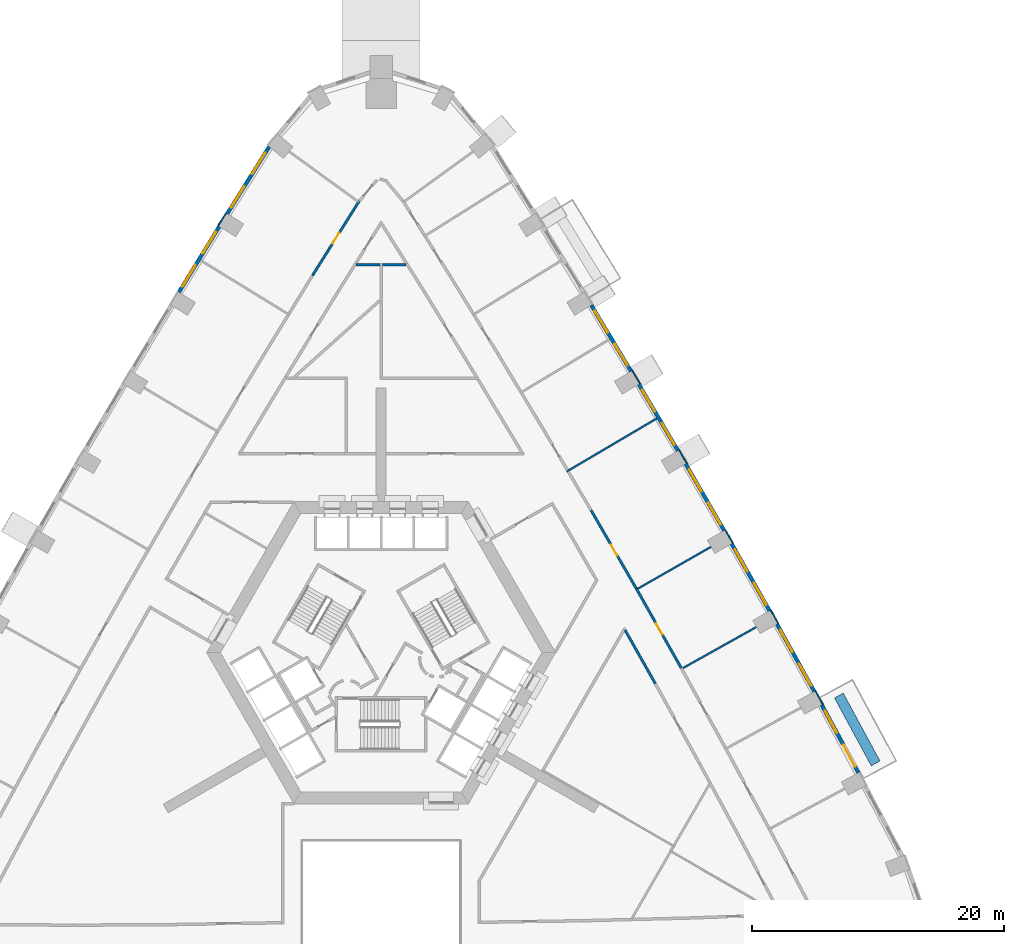
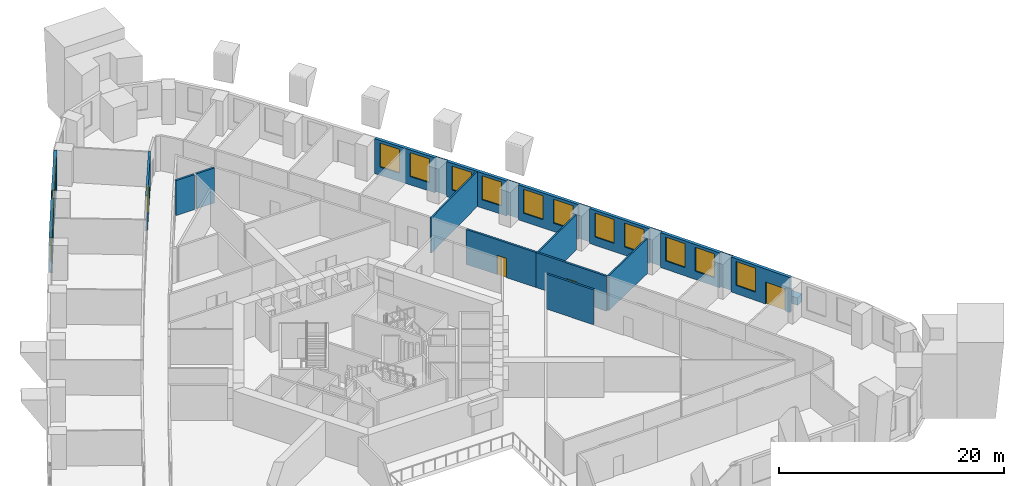
# One storey, part 11 of 17: 24 walls, 15 windows, 4 doors, 19 openings.
"""IFC4 building model written with IfcOpenShell, lengths in metres."""

from ifc_helpers import new_model, si_unit, direction, frame, frame_2d, origin, place, context, subcontext, project, spatial, rectangle, extrude, material, layer, layer_set, type_object, element, fill, save


model = new_model("IFC4")

# Units and contexts
model_context = context("Model", 3, precision=1e-05, world=origin(), true_north=direction((0.0, 1.0)))
body_context = subcontext(model_context, "Body", "Model", "MODEL_VIEW")
ifc_project = project(units=[si_unit("LENGTHUNIT", "METRE"), si_unit("AREAUNIT", "SQUARE_METRE"), si_unit("VOLUMEUNIT", "CUBIC_METRE"), si_unit("PLANEANGLEUNIT", "RADIAN"), si_unit("MASSUNIT", "GRAM", prefix="KILO")], contexts=[model_context])

# Site, building, storey
site_placement = place(None, origin())
site = spatial("IfcSite", under=ifc_project, at=site_placement, CompositionType="ELEMENT")
building_placement = place(site_placement, origin())
building = spatial("IfcBuilding", under=site, at=building_placement, Name="Entoto Arch Interchange Tower", CompositionType="ELEMENT")
storey_placement = place(building_placement, frame((0.0, 0.0, 72.800048828125)))
storey = spatial("IfcBuildingStorey", under=building, at=storey_placement, Name="L15", CompositionType="ELEMENT", Elevation=72.800048828125)

# Walls
ifc_material_1 = material(Name="Gypsum board partition on steel studs", Category="steel")
ifc_layer_1 = layer(ifc_material_1, 0.14990234375)
ifc_layer_set_1 = layer_set([ifc_layer_1], Name="Gypsum board partition on steel studs")
wall_type_1 = type_object("IfcWallType", Name="PARTITION 150", PredefinedType="PARTITIONING", material=ifc_layer_set_1)
wall_1_placement = place(storey_placement, frame((23.950927734375, 1.26611328125, 0.0), z_axis=(0.0, 0.0, 1.0), x_axis=(0.872786908026, 0.488101437385, 0.0)))
element("IfcWall", 1, at=wall_1_placement, inside=storey, type_object=wall_type_1, Name="wall:L15:p135", PredefinedType="PARTITIONING", context=body_context, shape_type="SweptSolid", body=[
    extrude(rectangle(XDim=6.680908203125, YDim=0.14990234375, at=frame_2d((3.34033203125, 0.0))), origin(), (0.0, 0.0, 1.0), 3.800048828125),
])
wall_2_placement = place(storey_placement, frame((20.382080078125, 7.580078125, 0.0), z_axis=(0.0, 0.0, 1.0), x_axis=(0.868256636797, 0.496115321935, 0.0)))
element("IfcWall", 2, at=wall_2_placement, inside=storey, type_object=wall_type_1, Name="wall:L15:p136", PredefinedType="PARTITIONING", context=body_context, shape_type="SweptSolid", body=[
    extrude(rectangle(XDim=6.679931640625, YDim=0.14990234375, at=frame_2d((3.33984375, 0.0))), origin(), (0.0, 0.0, 1.0), 3.800048828125),
])
wall_3_placement = place(storey_placement, frame((14.740966796875, 16.885009765625, 0.0), z_axis=(0.0, 0.0, 1.0), x_axis=(0.861505144806, 0.507748840936, 0.0)))
element("IfcWall", 3, at=wall_3_placement, inside=storey, type_object=wall_type_1, Name="wall:L15:p137", PredefinedType="PARTITIONING", context=body_context, shape_type="SweptSolid", body=[
    extrude(rectangle(XDim=8.299560546875, YDim=0.14990234375, at=frame_2d((4.14990234375, 0.0))), origin(), (0.0, 0.0, 1.0), 3.800048828125),
])
ifc_layer_2 = layer(ifc_material_1, 0.199951171875)
ifc_layer_set_2 = layer_set([ifc_layer_2], Name="Gypsum board partition on steel studs")
wall_type_2 = type_object("IfcWallType", Name="PARTITION 200", PredefinedType="PARTITIONING", material=ifc_layer_set_2)
wall_4_placement = place(storey_placement, frame((21.77001953125, 0.0458984375, 0.0), z_axis=(0.0, 0.0, 1.0), x_axis=(-0.492148137455, 0.870511465059, 0.0)))
element("IfcWall", 4, at=wall_4_placement, inside=storey, type_object=wall_type_2, Name="wall:L15:p024", PredefinedType="PARTITIONING", context=body_context, shape_type="SweptSolid", body=[
    extrude(rectangle(XDim=4.868408203125, YDim=0.199951171875, at=frame_2d((2.43408203125, 0.0))), origin(), (0.0, 0.0, 1.0), 3.800048828125),
])

# Wall, opening, door
wall_5_placement = place(storey_placement, frame((20.259033203125, 7.595947265625, 0.0), z_axis=(0.0, 0.0, 1.0), x_axis=(0.492021755503, -0.870582903641, 0.0)))
wall_5 = element("IfcWall", 5, at=wall_5_placement, inside=storey, type_object=wall_type_2, Name="wall:L15:p047", PredefinedType="PARTITIONING", context=body_context, shape_type="SweptSolid", body=[
    extrude(rectangle(XDim=7.25146484375, YDim=0.199951171875, at=frame_2d((3.625732421875, 0.0))), origin(), (0.0, 0.0, 1.0), 3.800048828125),
])
opening_1_placement = place(wall_5_placement, frame((3.200927734375, 0.0, 0.0)))
opening_1 = element("IfcOpeningElement", 6, at=opening_1_placement, cuts=wall_5, Name="Opening L15-D05", PredefinedType="OPENING", context=body_context, shape_type="SweptSolid", body=[
    extrude(rectangle(XDim=1.0, YDim=2.10009765625, at=frame_2d((0.5, 1.050048828125))), frame((0.0, 0.10986328125, 0.0), z_axis=(0.0, -1.0, 0.0), x_axis=(1.0, 0.0, 0.0)), (0.0, 0.0, 1.0), 0.219970703125),
])
ifc_material_2 = material(Name="Timber door leaf in Steel S235 frame", Category="steel")
door_type_1 = type_object("IfcDoorType", Name="DOOR DS-10 1000x2100", OperationType="SINGLE_SWING_LEFT", PredefinedType="DOOR", material=ifc_material_2)
door_1_placement = place(opening_1_placement, origin())
door_1 = element("IfcDoor", 7, at=door_1_placement, inside=storey, type_object=door_type_1, Name="door:L15:05", OperationType="SINGLE_SWING_LEFT", OverallHeight=2.10009765625, OverallWidth=1.0, PredefinedType="DOOR", context=body_context, shape_type="SweptSolid", body=[
    extrude(rectangle(XDim=1.0, YDim=2.10009765625, at=frame_2d((0.5, 1.050048828125))), frame((0.0, 0.02490234375, 0.0), z_axis=(0.0, -1.0, 0.0), x_axis=(1.0, 0.0, 0.0)), (0.0, 0.0, 1.0), 0.050048828125),
])
fill(opening_1, door_1)

wall_6_placement = place(storey_placement, frame((16.6689453125, 13.81103515625, 0.0), z_axis=(0.0, 0.0, 1.0), x_axis=(0.500027672765, -0.866009426316, 0.0)))
wall_6 = element("IfcWall", 8, at=wall_6_placement, inside=storey, type_object=wall_type_2, Name="wall:L15:p049", PredefinedType="PARTITIONING", context=body_context, shape_type="SweptSolid", body=[
    extrude(rectangle(XDim=7.177734375, YDim=0.199951171875, at=frame_2d((3.5888671875, 0.0))), origin(), (0.0, 0.0, 1.0), 3.800048828125),
])
opening_2_placement = place(wall_6_placement, frame((3.1640625, 0.0, 0.0)))
opening_2 = element("IfcOpeningElement", 9, at=opening_2_placement, cuts=wall_6, Name="Opening L15-D06", PredefinedType="OPENING", context=body_context, shape_type="SweptSolid", body=[
    extrude(rectangle(XDim=1.0, YDim=2.10009765625, at=frame_2d((0.5, 1.050048828125))), frame((0.0, 0.10986328125, 0.0), z_axis=(0.0, -1.0, 0.0), x_axis=(1.0, 0.0, 0.0)), (0.0, 0.0, 1.0), 0.219970703125),
])
door_2_placement = place(opening_2_placement, origin())
door_2 = element("IfcDoor", 10, at=door_2_placement, inside=storey, type_object=door_type_1, Name="door:L15:06", OperationType="SINGLE_SWING_LEFT", OverallHeight=2.10009765625, OverallWidth=1.0, PredefinedType="DOOR", context=body_context, shape_type="SweptSolid", body=[
    extrude(rectangle(XDim=1.0, YDim=2.10009765625, at=frame_2d((0.5, 1.050048828125))), frame((0.0, 0.02490234375, 0.0), z_axis=(0.0, -1.0, 0.0), x_axis=(1.0, 0.0, 0.0)), (0.0, 0.0, 1.0), 0.050048828125),
])
fill(opening_2, door_2)

wall_7_placement = place(storey_placement, frame((-5.449951171875, 32.450927734375, 0.0), z_axis=(0.0, 0.0, 1.0), x_axis=(0.531388870359, 0.847128011849, 0.0)))
wall_7 = element("IfcWall", 11, at=wall_7_placement, inside=storey, type_object=wall_type_2, Name="wall:L15:p061", PredefinedType="PARTITIONING", context=body_context, shape_type="SweptSolid", body=[
    extrude(rectangle(XDim=6.99072265625, YDim=0.199951171875, at=frame_2d((3.495361328125, 0.0))), origin(), (0.0, 0.0, 1.0), 3.800048828125),
])
opening_3_placement = place(wall_7_placement, frame((2.99609375, 0.0, 0.0)))
opening_3 = element("IfcOpeningElement", 12, at=opening_3_placement, cuts=wall_7, Name="Opening L15-D12", PredefinedType="OPENING", context=body_context, shape_type="SweptSolid", body=[
    extrude(rectangle(XDim=1.0, YDim=2.10009765625, at=frame_2d((0.5, 1.050048828125))), frame((0.0, 0.10986328125, 0.0), z_axis=(0.0, -1.0, 0.0), x_axis=(1.0, 0.0, 0.0)), (0.0, 0.0, 1.0), 0.219970703125),
])
door_3_placement = place(opening_3_placement, origin())
door_3 = element("IfcDoor", 13, at=door_3_placement, inside=storey, type_object=door_type_1, Name="door:L15:12", OperationType="SINGLE_SWING_LEFT", OverallHeight=2.10009765625, OverallWidth=1.0, PredefinedType="DOOR", context=body_context, shape_type="SweptSolid", body=[
    extrude(rectangle(XDim=1.0, YDim=2.10009765625, at=frame_2d((0.5, 1.050048828125))), frame((0.0, 0.02490234375, 0.0), z_axis=(0.0, -1.0, 0.0), x_axis=(1.0, 0.0, 0.0)), (0.0, 0.0, 1.0), 0.050048828125),
])
fill(opening_3, door_3)

# Walls
for number, where, z_axis, x_axis, name in (
    (14, (0.10009765625, 33.300048828125, 0.0), (0.0, 0.0, 1.0), (1.0, 0.0, 0.0), "wall:L15:p125"),
    (15, (-1.985107421875, 33.300048828125, 0.0), (0.0, 0.0, 1.0), (1.0, 0.0, 0.0), "wall:L15:p126"),
):
    element("IfcWall", number, at=place(storey_placement, frame(where, z_axis=z_axis, x_axis=x_axis)), inside=storey, type_object=wall_type_2, Name=name, PredefinedType="PARTITIONING", context=body_context, shape_type="SweptSolid", body=[
        extrude(rectangle(XDim=1.885009765625, YDim=0.199951171875, at=frame_2d((0.9423828125, 0.0))), origin(), (0.0, 0.0, 1.0), 3.800048828125),
    ])
ifc_material_3 = material(Name="Board-marked precast concrete C50/60", Category="concrete")
ifc_layer_3 = layer(ifc_material_3, 0.800048828125)
ifc_layer_set_3 = layer_set([ifc_layer_3], Name="Board-marked precast concrete C50/60")
wall_type_3 = type_object("IfcWallType", Name="PLANTER RC 800 Olea europaea subsp. cuspidata", PredefinedType="STANDARD", material=ifc_layer_set_3)
wall_8_placement = place(storey_placement, frame((39.26611328125, -6.298095703125, 0.0), z_axis=(0.0, 0.0, 1.0), x_axis=(-0.476100931161, 0.8793906432, 0.0)))
element("IfcWall", 16, at=wall_8_placement, inside=storey, type_object=wall_type_3, Name="Planter NE-02 L15", PredefinedType="STANDARD", context=body_context, shape_type="SweptSolid", body=[
    extrude(rectangle(XDim=6.12939453125, YDim=0.800048828125, at=frame_2d((3.064697265625, 0.0))), origin(), (0.0, 0.0, 1.0), 0.800048828125),
])

# Wall, openings, door, window
ifc_material_4 = material(Name="Welded tuff (ignimbrite) cladding, warm buff", Category="masonry")
ifc_layer_4 = layer(ifc_material_4, 0.300048828125)
ifc_layer_set_4 = layer_set([ifc_layer_4], Name="Welded tuff (ignimbrite) cladding, warm buff")
wall_type_4 = type_object("IfcWallType", Name="STONE INFILL WALL 300", PredefinedType="STANDARD", material=ifc_layer_set_4)
wall_9_placement = place(storey_placement, frame((37.903076171875, -7.035888671875, 0.0), z_axis=(0.0, 0.0, 1.0), x_axis=(-0.476174096946, 0.879351027404, 0.0)))
wall_9 = element("IfcWall", 17, at=wall_9_placement, inside=storey, type_object=wall_type_4, Name="Facade wall NE-02 L15", PredefinedType="STANDARD", context=body_context, shape_type="SweptSolid", body=[
    extrude(rectangle(XDim=6.130615234375, YDim=0.300048828125, at=frame_2d((3.0654296875, 0.0))), origin(), (0.0, 0.0, 1.0), 3.800048828125),
])
opening_4_placement = place(wall_9_placement, frame((0.532958984375, 0.0, 0.0)))
opening_4 = element("IfcOpeningElement", 18, at=opening_4_placement, cuts=wall_9, Name="Opening DB-NE-02-L15", PredefinedType="OPENING", context=body_context, shape_type="SweptSolid", body=[
    extrude(rectangle(XDim=2.0, YDim=2.39990234375, at=frame_2d((1.0, 1.199951171875))), frame((0.0, 0.16015625, 0.0), z_axis=(0.0, -1.0, 0.0), x_axis=(1.0, 0.0, 0.0)), (0.0, 0.0, 1.0), 0.320068359375),
])
opening_5_placement = place(wall_9_placement, frame((3.597900390625, 0.0, 0.89990234375)))
opening_5 = element("IfcOpeningElement", 19, at=opening_5_placement, cuts=wall_9, Name="Opening WO-C", PredefinedType="OPENING", context=body_context, shape_type="SweptSolid", body=[
    extrude(rectangle(XDim=2.0, YDim=2.60009765625, at=frame_2d((1.0, 1.300048828125))), frame((0.0, 0.16015625, 0.0), z_axis=(0.0, -1.0, 0.0), x_axis=(1.0, 0.0, 0.0)), (0.0, 0.0, 1.0), 0.320068359375),
])
ifc_material_5 = material(Name="Aluminium and clear glass, anodised", Category="aluminium")
door_type_2 = type_object("IfcDoorType", Name="BALCONY DOOR DB 2000x2400", OperationType="SLIDING_TO_LEFT", PredefinedType="DOOR", material=ifc_material_5)
door_4_placement = place(opening_4_placement, origin())
door_4 = element("IfcDoor", 20, at=door_4_placement, inside=storey, type_object=door_type_2, Name="Balcony door NE-02 L15", OperationType="SLIDING_TO_LEFT", OverallHeight=2.39990234375, OverallWidth=2.0, PredefinedType="DOOR", context=body_context, shape_type="SweptSolid", body=[
    extrude(rectangle(XDim=2.0, YDim=2.39990234375, at=frame_2d((1.0, 1.199951171875))), frame((0.0, 0.02490234375, 0.0), z_axis=(0.0, -1.0, 0.0), x_axis=(1.0, 0.0, 0.0)), (0.0, 0.0, 1.0), 0.050048828125),
])
fill(opening_4, door_4)
ifc_material_6 = material(Name="Clear glass, low-e double glazed", Category="glass")
window_type = type_object("IfcWindowType", Name="WINDOW WO-C 2000x2600", PartitioningType="DOUBLE_PANEL_VERTICAL", PredefinedType="WINDOW", material=ifc_material_6)
window_1_placement = place(opening_5_placement, origin())
window_1 = element("IfcWindow", 21, at=window_1_placement, inside=storey, type_object=window_type, Name="Window WO-C NE-02 L15", OverallHeight=2.60009765625, OverallWidth=2.0, PartitioningType="SINGLE_PANEL", PredefinedType="WINDOW", context=body_context, shape_type="SweptSolid", body=[
    extrude(rectangle(XDim=2.0, YDim=2.60009765625, at=frame_2d((1.0, 1.300048828125))), frame((0.0, 0.030029296875, 0.0), z_axis=(0.0, -1.0, 0.0), x_axis=(1.0, 0.0, 0.0)), (0.0, 0.0, 1.0), 0.06005859375),
])
fill(opening_5, window_1)

# Wall, openings, windows
wall_10_placement = place(storey_placement, frame((34.408935546875, -0.594970703125, 0.0), z_axis=(0.0, 0.0, 1.0), x_axis=(-0.484025698618, 0.875053782963, 0.0)))
wall_10 = element("IfcWall", 22, at=wall_10_placement, inside=storey, type_object=wall_type_4, Name="Facade wall NE-03 L15", PredefinedType="STANDARD", context=body_context, shape_type="SweptSolid", body=[
    extrude(rectangle(XDim=6.1298828125, YDim=0.300048828125, at=frame_2d((3.06494140625, 0.0))), origin(), (0.0, 0.0, 1.0), 3.800048828125),
])
opening_6_placement = place(wall_10_placement, frame((0.531982421875, 0.0, 0.89990234375)))
opening_6 = element("IfcOpeningElement", 23, at=opening_6_placement, cuts=wall_10, Name="Opening WO-C", PredefinedType="OPENING", context=body_context, shape_type="SweptSolid", body=[
    extrude(rectangle(XDim=2.0, YDim=2.60009765625, at=frame_2d((1.0, 1.300048828125))), frame((0.0, 0.16015625, 0.0), z_axis=(0.0, -1.0, 0.0), x_axis=(1.0, 0.0, 0.0)), (0.0, 0.0, 1.0), 0.320068359375),
])
opening_7_placement = place(wall_10_placement, frame((3.596923828125, 0.0, 0.89990234375)))
opening_7 = element("IfcOpeningElement", 24, at=opening_7_placement, cuts=wall_10, Name="Opening WO-C", PredefinedType="OPENING", context=body_context, shape_type="SweptSolid", body=[
    extrude(rectangle(XDim=2.0, YDim=2.60009765625, at=frame_2d((1.0, 1.300048828125))), frame((0.0, 0.16015625, 0.0), z_axis=(0.0, -1.0, 0.0), x_axis=(1.0, 0.0, 0.0)), (0.0, 0.0, 1.0), 0.320068359375),
])
window_2_placement = place(opening_6_placement, origin())
window_2 = element("IfcWindow", 25, at=window_2_placement, inside=storey, type_object=window_type, Name="Window WO-C NE-03 L15", OverallHeight=2.60009765625, OverallWidth=2.0, PartitioningType="SINGLE_PANEL", PredefinedType="WINDOW", context=body_context, shape_type="SweptSolid", body=[
    extrude(rectangle(XDim=2.0, YDim=2.60009765625, at=frame_2d((1.0, 1.300048828125))), frame((0.0, 0.030029296875, 0.0), z_axis=(0.0, -1.0, 0.0), x_axis=(1.0, 0.0, 0.0)), (0.0, 0.0, 1.0), 0.06005859375),
])
fill(opening_6, window_2)
window_3_placement = place(opening_7_placement, origin())
window_3 = element("IfcWindow", 26, at=window_3_placement, inside=storey, type_object=window_type, Name="Window WO-C NE-03 L15", OverallHeight=2.60009765625, OverallWidth=2.0, PartitioningType="SINGLE_PANEL", PredefinedType="WINDOW", context=body_context, shape_type="SweptSolid", body=[
    extrude(rectangle(XDim=2.0, YDim=2.60009765625, at=frame_2d((1.0, 1.300048828125))), frame((0.0, 0.030029296875, 0.0), z_axis=(0.0, -1.0, 0.0), x_axis=(1.0, 0.0, 0.0)), (0.0, 0.0, 1.0), 0.06005859375),
])
fill(opening_7, window_3)

wall_11_placement = place(storey_placement, frame((30.85693359375, 5.81396484375, 0.0), z_axis=(0.0, 0.0, 1.0), x_axis=(-0.492097935349, 0.870539845168, 0.0)))
wall_11 = element("IfcWall", 27, at=wall_11_placement, inside=storey, type_object=wall_type_4, Name="Facade wall NE-04 L15", PredefinedType="STANDARD", context=body_context, shape_type="SweptSolid", body=[
    extrude(rectangle(XDim=6.130615234375, YDim=0.300048828125, at=frame_2d((3.0654296875, 0.0))), origin(), (0.0, 0.0, 1.0), 3.800048828125),
])
opening_8_placement = place(wall_11_placement, frame((0.532958984375, 0.0, 0.89990234375)))
opening_8 = element("IfcOpeningElement", 28, at=opening_8_placement, cuts=wall_11, Name="Opening WO-C", PredefinedType="OPENING", context=body_context, shape_type="SweptSolid", body=[
    extrude(rectangle(XDim=2.0, YDim=2.60009765625, at=frame_2d((1.0, 1.300048828125))), frame((0.0, 0.16015625, 0.0), z_axis=(0.0, -1.0, 0.0), x_axis=(1.0, 0.0, 0.0)), (0.0, 0.0, 1.0), 0.320068359375),
])
opening_9_placement = place(wall_11_placement, frame((3.597900390625, 0.0, 0.89990234375)))
opening_9 = element("IfcOpeningElement", 29, at=opening_9_placement, cuts=wall_11, Name="Opening WO-C", PredefinedType="OPENING", context=body_context, shape_type="SweptSolid", body=[
    extrude(rectangle(XDim=2.0, YDim=2.60009765625, at=frame_2d((1.0, 1.300048828125))), frame((0.0, 0.16015625, 0.0), z_axis=(0.0, -1.0, 0.0), x_axis=(1.0, 0.0, 0.0)), (0.0, 0.0, 1.0), 0.320068359375),
])
window_4_placement = place(opening_8_placement, origin())
window_4 = element("IfcWindow", 30, at=window_4_placement, inside=storey, type_object=window_type, Name="Window WO-C NE-04 L15", OverallHeight=2.60009765625, OverallWidth=2.0, PartitioningType="SINGLE_PANEL", PredefinedType="WINDOW", context=body_context, shape_type="SweptSolid", body=[
    extrude(rectangle(XDim=2.0, YDim=2.60009765625, at=frame_2d((1.0, 1.300048828125))), frame((0.0, 0.030029296875, 0.0), z_axis=(0.0, -1.0, 0.0), x_axis=(1.0, 0.0, 0.0)), (0.0, 0.0, 1.0), 0.06005859375),
])
fill(opening_8, window_4)
window_5_placement = place(opening_9_placement, origin())
window_5 = element("IfcWindow", 31, at=window_5_placement, inside=storey, type_object=window_type, Name="Window WO-C NE-04 L15", OverallHeight=2.60009765625, OverallWidth=2.0, PartitioningType="SINGLE_PANEL", PredefinedType="WINDOW", context=body_context, shape_type="SweptSolid", body=[
    extrude(rectangle(XDim=2.0, YDim=2.60009765625, at=frame_2d((1.0, 1.300048828125))), frame((0.0, 0.030029296875, 0.0), z_axis=(0.0, -1.0, 0.0), x_axis=(1.0, 0.0, 0.0)), (0.0, 0.0, 1.0), 0.06005859375),
])
fill(opening_9, window_5)

wall_12_placement = place(storey_placement, frame((27.24609375, 12.19091796875, 0.0), z_axis=(0.0, 0.0, 1.0), x_axis=(-0.499998239139, 0.866026420416, 0.0)))
wall_12 = element("IfcWall", 32, at=wall_12_placement, inside=storey, type_object=wall_type_4, Name="Facade wall NE-05 L15", PredefinedType="STANDARD", context=body_context, shape_type="SweptSolid", body=[
    extrude(rectangle(XDim=6.13037109375, YDim=0.300048828125, at=frame_2d((3.065185546875, 0.0))), origin(), (0.0, 0.0, 1.0), 3.800048828125),
])
opening_10_placement = place(wall_12_placement, frame((0.532958984375, 0.0, 0.89990234375)))
opening_10 = element("IfcOpeningElement", 33, at=opening_10_placement, cuts=wall_12, Name="Opening WO-C", PredefinedType="OPENING", context=body_context, shape_type="SweptSolid", body=[
    extrude(rectangle(XDim=2.0, YDim=2.60009765625, at=frame_2d((1.0, 1.300048828125))), frame((0.0, 0.16015625, 0.0), z_axis=(0.0, -1.0, 0.0), x_axis=(1.0, 0.0, 0.0)), (0.0, 0.0, 1.0), 0.320068359375),
])
opening_11_placement = place(wall_12_placement, frame((3.597900390625, 0.0, 0.89990234375)))
opening_11 = element("IfcOpeningElement", 34, at=opening_11_placement, cuts=wall_12, Name="Opening WO-C", PredefinedType="OPENING", context=body_context, shape_type="SweptSolid", body=[
    extrude(rectangle(XDim=2.0, YDim=2.60009765625, at=frame_2d((1.0, 1.300048828125))), frame((0.0, 0.16015625, 0.0), z_axis=(0.0, -1.0, 0.0), x_axis=(1.0, 0.0, 0.0)), (0.0, 0.0, 1.0), 0.320068359375),
])
window_6_placement = place(opening_10_placement, origin())
window_6 = element("IfcWindow", 35, at=window_6_placement, inside=storey, type_object=window_type, Name="Window WO-C NE-05 L15", OverallHeight=2.60009765625, OverallWidth=2.0, PartitioningType="SINGLE_PANEL", PredefinedType="WINDOW", context=body_context, shape_type="SweptSolid", body=[
    extrude(rectangle(XDim=2.0, YDim=2.60009765625, at=frame_2d((1.0, 1.300048828125))), frame((0.0, 0.030029296875, 0.0), z_axis=(0.0, -1.0, 0.0), x_axis=(1.0, 0.0, 0.0)), (0.0, 0.0, 1.0), 0.06005859375),
])
fill(opening_10, window_6)
window_7_placement = place(opening_11_placement, origin())
window_7 = element("IfcWindow", 36, at=window_7_placement, inside=storey, type_object=window_type, Name="Window WO-C NE-05 L15", OverallHeight=2.60009765625, OverallWidth=2.0, PartitioningType="SINGLE_PANEL", PredefinedType="WINDOW", context=body_context, shape_type="SweptSolid", body=[
    extrude(rectangle(XDim=2.0, YDim=2.60009765625, at=frame_2d((1.0, 1.300048828125))), frame((0.0, 0.030029296875, 0.0), z_axis=(0.0, -1.0, 0.0), x_axis=(1.0, 0.0, 0.0)), (0.0, 0.0, 1.0), 0.06005859375),
])
fill(opening_11, window_7)

wall_13_placement = place(storey_placement, frame((23.576904296875, 18.533935546875, 0.0), z_axis=(0.0, 0.0, 1.0), x_axis=(-0.507716058644, 0.861524465001, 0.0)))
wall_13 = element("IfcWall", 37, at=wall_13_placement, inside=storey, type_object=wall_type_4, Name="Facade wall NE-06 L15", PredefinedType="STANDARD", context=body_context, shape_type="SweptSolid", body=[
    extrude(rectangle(XDim=6.130859375, YDim=0.300048828125, at=frame_2d((3.0654296875, 0.0))), origin(), (0.0, 0.0, 1.0), 3.800048828125),
])
opening_12_placement = place(wall_13_placement, frame((0.532958984375, 0.0, 0.89990234375)))
opening_12 = element("IfcOpeningElement", 38, at=opening_12_placement, cuts=wall_13, Name="Opening WO-C", PredefinedType="OPENING", context=body_context, shape_type="SweptSolid", body=[
    extrude(rectangle(XDim=2.0, YDim=2.60009765625, at=frame_2d((1.0, 1.300048828125))), frame((0.0, 0.16015625, 0.0), z_axis=(0.0, -1.0, 0.0), x_axis=(1.0, 0.0, 0.0)), (0.0, 0.0, 1.0), 0.320068359375),
])
opening_13_placement = place(wall_13_placement, frame((3.597900390625, 0.0, 0.89990234375)))
opening_13 = element("IfcOpeningElement", 39, at=opening_13_placement, cuts=wall_13, Name="Opening WO-C", PredefinedType="OPENING", context=body_context, shape_type="SweptSolid", body=[
    extrude(rectangle(XDim=2.0, YDim=2.60009765625, at=frame_2d((1.0, 1.300048828125))), frame((0.0, 0.16015625, 0.0), z_axis=(0.0, -1.0, 0.0), x_axis=(1.0, 0.0, 0.0)), (0.0, 0.0, 1.0), 0.320068359375),
])
window_8_placement = place(opening_12_placement, origin())
window_8 = element("IfcWindow", 40, at=window_8_placement, inside=storey, type_object=window_type, Name="Window WO-C NE-06 L15", OverallHeight=2.60009765625, OverallWidth=2.0, PartitioningType="SINGLE_PANEL", PredefinedType="WINDOW", context=body_context, shape_type="SweptSolid", body=[
    extrude(rectangle(XDim=2.0, YDim=2.60009765625, at=frame_2d((1.0, 1.300048828125))), frame((0.0, 0.030029296875, 0.0), z_axis=(0.0, -1.0, 0.0), x_axis=(1.0, 0.0, 0.0)), (0.0, 0.0, 1.0), 0.06005859375),
])
fill(opening_12, window_8)
window_9_placement = place(opening_13_placement, origin())
window_9 = element("IfcWindow", 41, at=window_9_placement, inside=storey, type_object=window_type, Name="Window WO-C NE-06 L15", OverallHeight=2.60009765625, OverallWidth=2.0, PartitioningType="SINGLE_PANEL", PredefinedType="WINDOW", context=body_context, shape_type="SweptSolid", body=[
    extrude(rectangle(XDim=2.0, YDim=2.60009765625, at=frame_2d((1.0, 1.300048828125))), frame((0.0, 0.030029296875, 0.0), z_axis=(0.0, -1.0, 0.0), x_axis=(1.0, 0.0, 0.0)), (0.0, 0.0, 1.0), 0.06005859375),
])
fill(opening_13, window_9)

wall_14_placement = place(storey_placement, frame((19.85107421875, 24.844970703125, 0.0), z_axis=(0.0, 0.0, 1.0), x_axis=(-0.515690089348, 0.856775193238, 0.0)))
wall_14 = element("IfcWall", 42, at=wall_14_placement, inside=storey, type_object=wall_type_4, Name="Facade wall NE-07 L15", PredefinedType="STANDARD", context=body_context, shape_type="SweptSolid", body=[
    extrude(rectangle(XDim=6.1298828125, YDim=0.300048828125, at=frame_2d((3.06494140625, 0.0))), origin(), (0.0, 0.0, 1.0), 3.800048828125),
])
opening_14_placement = place(wall_14_placement, frame((0.531982421875, 0.0, 0.89990234375)))
opening_14 = element("IfcOpeningElement", 43, at=opening_14_placement, cuts=wall_14, Name="Opening WO-C", PredefinedType="OPENING", context=body_context, shape_type="SweptSolid", body=[
    extrude(rectangle(XDim=2.0, YDim=2.60009765625, at=frame_2d((1.0, 1.300048828125))), frame((0.0, 0.16015625, 0.0), z_axis=(0.0, -1.0, 0.0), x_axis=(1.0, 0.0, 0.0)), (0.0, 0.0, 1.0), 0.320068359375),
])
opening_15_placement = place(wall_14_placement, frame((3.596923828125, 0.0, 0.89990234375)))
opening_15 = element("IfcOpeningElement", 44, at=opening_15_placement, cuts=wall_14, Name="Opening WO-C", PredefinedType="OPENING", context=body_context, shape_type="SweptSolid", body=[
    extrude(rectangle(XDim=2.0, YDim=2.60009765625, at=frame_2d((1.0, 1.300048828125))), frame((0.0, 0.16015625, 0.0), z_axis=(0.0, -1.0, 0.0), x_axis=(1.0, 0.0, 0.0)), (0.0, 0.0, 1.0), 0.320068359375),
])
window_10_placement = place(opening_14_placement, origin())
window_10 = element("IfcWindow", 45, at=window_10_placement, inside=storey, type_object=window_type, Name="Window WO-C NE-07 L15", OverallHeight=2.60009765625, OverallWidth=2.0, PartitioningType="SINGLE_PANEL", PredefinedType="WINDOW", context=body_context, shape_type="SweptSolid", body=[
    extrude(rectangle(XDim=2.0, YDim=2.60009765625, at=frame_2d((1.0, 1.300048828125))), frame((0.0, 0.030029296875, 0.0), z_axis=(0.0, -1.0, 0.0), x_axis=(1.0, 0.0, 0.0)), (0.0, 0.0, 1.0), 0.06005859375),
])
fill(opening_14, window_10)
window_11_placement = place(opening_15_placement, origin())
window_11 = element("IfcWindow", 46, at=window_11_placement, inside=storey, type_object=window_type, Name="Window WO-C NE-07 L15", OverallHeight=2.60009765625, OverallWidth=2.0, PartitioningType="SINGLE_PANEL", PredefinedType="WINDOW", context=body_context, shape_type="SweptSolid", body=[
    extrude(rectangle(XDim=2.0, YDim=2.60009765625, at=frame_2d((1.0, 1.300048828125))), frame((0.0, 0.030029296875, 0.0), z_axis=(0.0, -1.0, 0.0), x_axis=(1.0, 0.0, 0.0)), (0.0, 0.0, 1.0), 0.06005859375),
])
fill(opening_15, window_11)

wall_15_placement = place(storey_placement, frame((-8.888916015625, 42.68408203125, 0.0), z_axis=(0.0, 0.0, 1.0), x_axis=(-0.531357111884, -0.847147932565, 0.0)))
wall_15 = element("IfcWall", 47, at=wall_15_placement, inside=storey, type_object=wall_type_4, Name="Facade wall NW-01 L15", PredefinedType="STANDARD", context=body_context, shape_type="SweptSolid", body=[
    extrude(rectangle(XDim=6.2822265625, YDim=0.300048828125, at=frame_2d((3.14111328125, 0.0))), origin(), (0.0, 0.0, 1.0), 3.800048828125),
])
opening_16_placement = place(wall_15_placement, frame((0.571044921875, 0.0, 0.89990234375)))
opening_16 = element("IfcOpeningElement", 48, at=opening_16_placement, cuts=wall_15, Name="Opening WO-C", PredefinedType="OPENING", context=body_context, shape_type="SweptSolid", body=[
    extrude(rectangle(XDim=2.0, YDim=2.60009765625, at=frame_2d((1.0, 1.300048828125))), frame((0.0, 0.16015625, 0.0), z_axis=(0.0, -1.0, 0.0), x_axis=(1.0, 0.0, 0.0)), (0.0, 0.0, 1.0), 0.320068359375),
])
opening_17_placement = place(wall_15_placement, frame((3.7119140625, 0.0, 0.89990234375)))
opening_17 = element("IfcOpeningElement", 49, at=opening_17_placement, cuts=wall_15, Name="Opening WO-C", PredefinedType="OPENING", context=body_context, shape_type="SweptSolid", body=[
    extrude(rectangle(XDim=2.0, YDim=2.60009765625, at=frame_2d((1.0, 1.300048828125))), frame((0.0, 0.16015625, 0.0), z_axis=(0.0, -1.0, 0.0), x_axis=(1.0, 0.0, 0.0)), (0.0, 0.0, 1.0), 0.320068359375),
])
window_12_placement = place(opening_16_placement, origin())
window_12 = element("IfcWindow", 50, at=window_12_placement, inside=storey, type_object=window_type, Name="Window WO-C NW-01 L15", OverallHeight=2.60009765625, OverallWidth=2.0, PartitioningType="SINGLE_PANEL", PredefinedType="WINDOW", context=body_context, shape_type="SweptSolid", body=[
    extrude(rectangle(XDim=2.0, YDim=2.60009765625, at=frame_2d((1.0, 1.300048828125))), frame((0.0, 0.030029296875, 0.0), z_axis=(0.0, -1.0, 0.0), x_axis=(1.0, 0.0, 0.0)), (0.0, 0.0, 1.0), 0.06005859375),
])
fill(opening_16, window_12)
window_13_placement = place(opening_17_placement, origin())
window_13 = element("IfcWindow", 51, at=window_13_placement, inside=storey, type_object=window_type, Name="Window WO-C NW-01 L15", OverallHeight=2.60009765625, OverallWidth=2.0, PartitioningType="SINGLE_PANEL", PredefinedType="WINDOW", context=body_context, shape_type="SweptSolid", body=[
    extrude(rectangle(XDim=2.0, YDim=2.60009765625, at=frame_2d((1.0, 1.300048828125))), frame((0.0, 0.030029296875, 0.0), z_axis=(0.0, -1.0, 0.0), x_axis=(1.0, 0.0, 0.0)), (0.0, 0.0, 1.0), 0.06005859375),
])
fill(opening_17, window_13)

wall_16_placement = place(storey_placement, frame((-12.85791015625, 36.343994140625, 0.0), z_axis=(0.0, 0.0, 1.0), x_axis=(-0.523421823151, -0.852073702827, 0.0)))
wall_16 = element("IfcWall", 52, at=wall_16_placement, inside=storey, type_object=wall_type_4, Name="Facade wall NW-02 L15", PredefinedType="STANDARD", context=body_context, shape_type="SweptSolid", body=[
    extrude(rectangle(XDim=6.130859375, YDim=0.300048828125, at=frame_2d((3.0654296875, 0.0))), origin(), (0.0, 0.0, 1.0), 3.800048828125),
])
opening_18_placement = place(wall_16_placement, frame((0.532958984375, 0.0, 0.89990234375)))
opening_18 = element("IfcOpeningElement", 53, at=opening_18_placement, cuts=wall_16, Name="Opening WO-C", PredefinedType="OPENING", context=body_context, shape_type="SweptSolid", body=[
    extrude(rectangle(XDim=2.0, YDim=2.60009765625, at=frame_2d((1.0, 1.300048828125))), frame((0.0, 0.16015625, 0.0), z_axis=(0.0, -1.0, 0.0), x_axis=(1.0, 0.0, 0.0)), (0.0, 0.0, 1.0), 0.320068359375),
])
opening_19_placement = place(wall_16_placement, frame((3.597900390625, 0.0, 0.89990234375)))
opening_19 = element("IfcOpeningElement", 54, at=opening_19_placement, cuts=wall_16, Name="Opening WO-C", PredefinedType="OPENING", context=body_context, shape_type="SweptSolid", body=[
    extrude(rectangle(XDim=2.0, YDim=2.60009765625, at=frame_2d((1.0, 1.300048828125))), frame((0.0, 0.16015625, 0.0), z_axis=(0.0, -1.0, 0.0), x_axis=(1.0, 0.0, 0.0)), (0.0, 0.0, 1.0), 0.320068359375),
])
window_14_placement = place(opening_18_placement, origin())
window_14 = element("IfcWindow", 55, at=window_14_placement, inside=storey, type_object=window_type, Name="Window WO-C NW-02 L15", OverallHeight=2.60009765625, OverallWidth=2.0, PartitioningType="SINGLE_PANEL", PredefinedType="WINDOW", context=body_context, shape_type="SweptSolid", body=[
    extrude(rectangle(XDim=2.0, YDim=2.60009765625, at=frame_2d((1.0, 1.300048828125))), frame((0.0, 0.030029296875, 0.0), z_axis=(0.0, -1.0, 0.0), x_axis=(1.0, 0.0, 0.0)), (0.0, 0.0, 1.0), 0.06005859375),
])
fill(opening_18, window_14)
window_15_placement = place(opening_19_placement, origin())
window_15 = element("IfcWindow", 56, at=window_15_placement, inside=storey, type_object=window_type, Name="Window WO-C NW-02 L15", OverallHeight=2.60009765625, OverallWidth=2.0, PartitioningType="SINGLE_PANEL", PredefinedType="WINDOW", context=body_context, shape_type="SweptSolid", body=[
    extrude(rectangle(XDim=2.0, YDim=2.60009765625, at=frame_2d((1.0, 1.300048828125))), frame((0.0, 0.030029296875, 0.0), z_axis=(0.0, -1.0, 0.0), x_axis=(1.0, 0.0, 0.0)), (0.0, 0.0, 1.0), 0.06005859375),
])
fill(opening_19, window_15)

# Walls
ifc_layer_5 = layer(ifc_material_4, 0.10009765625)
ifc_layer_set_5 = layer_set([ifc_layer_5], Name="Welded tuff (ignimbrite) cladding, warm buff")
wall_type_5 = type_object("IfcWallType", Name="STONE PIER CLADDING 100", PredefinedType="STANDARD", material=ifc_layer_set_5)
wall_17_placement = place(storey_placement, frame((35.073974609375, -1.597900390625, 0.0), z_axis=(0.0, 0.0, 1.0), x_axis=(-0.478267644701, 0.878214131082, 0.0)))
element("IfcWall", 57, at=wall_17_placement, inside=storey, type_object=wall_type_5, Name="Stone pier NE03 L15", PredefinedType="STANDARD", context=body_context, shape_type="SweptSolid", body=[
    extrude(rectangle(XDim=1.2001953125, YDim=0.10009765625, at=frame_2d((0.60009765625, 0.0))), origin(), (0.0, 0.0, 1.0), 3.800048828125),
])
wall_18_placement = place(storey_placement, frame((31.531005859375, 4.818115234375, 0.0), z_axis=(0.0, 0.0, 1.0), x_axis=(-0.486817526853, 0.873503689488, 0.0)))
element("IfcWall", 58, at=wall_18_placement, inside=storey, type_object=wall_type_5, Name="Stone pier NE04 L15", PredefinedType="STANDARD", context=body_context, shape_type="SweptSolid", body=[
    extrude(rectangle(XDim=1.19970703125, YDim=0.10009765625, at=frame_2d((0.599853515625, 0.0))), origin(), (0.0, 0.0, 1.0), 3.800048828125),
])
wall_19_placement = place(storey_placement, frame((27.929931640625, 11.200927734375, 0.0), z_axis=(0.0, 0.0, 1.0), x_axis=(-0.495854054996, 0.868405870629, 0.0)))
element("IfcWall", 59, at=wall_19_placement, inside=storey, type_object=wall_type_5, Name="Stone pier NE05 L15", PredefinedType="STANDARD", context=body_context, shape_type="SweptSolid", body=[
    extrude(rectangle(XDim=1.199951171875, YDim=0.10009765625, at=frame_2d((0.60009765625, 0.0))), origin(), (0.0, 0.0, 1.0), 3.800048828125),
])
wall_20_placement = place(storey_placement, frame((24.27001953125, 17.551025390625, 0.0), z_axis=(0.0, 0.0, 1.0), x_axis=(-0.504313844903, 0.863520437418, 0.0)))
element("IfcWall", 60, at=wall_20_placement, inside=storey, type_object=wall_type_5, Name="Stone pier NE06 L15", PredefinedType="STANDARD", context=body_context, shape_type="SweptSolid", body=[
    extrude(rectangle(XDim=1.19970703125, YDim=0.10009765625, at=frame_2d((0.599853515625, 0.0))), origin(), (0.0, 0.0, 1.0), 3.800048828125),
])
wall_21_placement = place(storey_placement, frame((20.553955078125, 23.867919921875, 0.0), z_axis=(0.0, 0.0, 1.0), x_axis=(-0.513238760752, 0.858245870635, 0.0)))
element("IfcWall", 61, at=wall_21_placement, inside=storey, type_object=wall_type_5, Name="Stone pier NE07 L15", PredefinedType="STANDARD", context=body_context, shape_type="SweptSolid", body=[
    extrude(rectangle(XDim=1.2001953125, YDim=0.10009765625, at=frame_2d((0.60009765625, 0.0))), origin(), (0.0, 0.0, 1.0), 3.800048828125),
])
wall_22_placement = place(storey_placement, frame((-12.31201171875, 37.416015625, 0.0), z_axis=(0.0, 0.0, 1.0), x_axis=(-0.53018187123, -0.847883944546, 0.0)))
element("IfcWall", 62, at=wall_22_placement, inside=storey, type_object=wall_type_5, Name="Stone pier NW02 L15", PredefinedType="STANDARD", context=body_context, shape_type="SweptSolid", body=[
    extrude(rectangle(XDim=1.199462890625, YDim=0.10009765625, at=frame_2d((0.599609375, 0.0))), origin(), (0.0, 0.0, 1.0), 3.800048828125),
])

save(model, "model.ifc")
